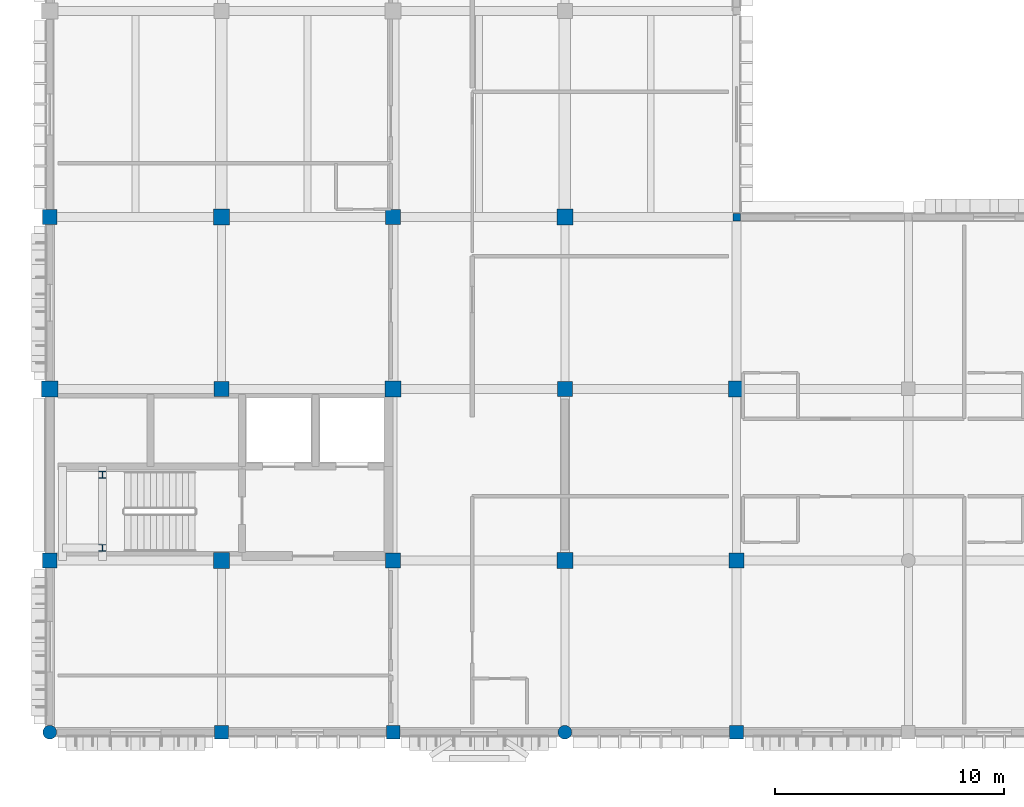
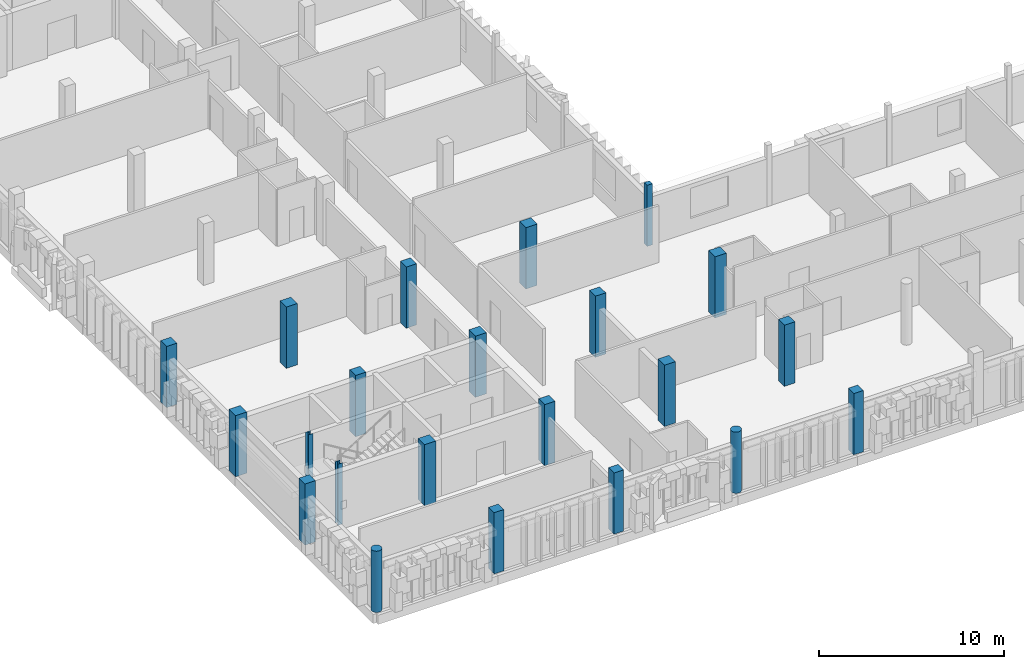
# One storey, part 1 of 48: 22 columns.
"""IFC4 building model written with IfcOpenShell, lengths in metres."""

from ifc_helpers import new_model, si_unit, direction, frame, origin, origin_2d, place, context, subcontext, project, spatial, rectangle, circle, i_section, extrude, material, material_profile, profile_set, type_object, element, save


model = new_model("IFC4")

# Units and contexts
model_context = context("Model", 3, precision=1e-05, world=origin(), true_north=direction((0.0, 1.0)))
body_context = subcontext(model_context, "Body", "Model", "MODEL_VIEW")
ifc_project = project(units=[si_unit("LENGTHUNIT", "METRE"), si_unit("AREAUNIT", "SQUARE_METRE"), si_unit("VOLUMEUNIT", "CUBIC_METRE"), si_unit("PLANEANGLEUNIT", "RADIAN"), si_unit("MASSUNIT", "GRAM", prefix="KILO")], contexts=[model_context])

# Site, building, storey
site_placement = place(None, origin())
site = spatial("IfcSite", under=ifc_project, at=site_placement, CompositionType="ELEMENT")
building_placement = place(site_placement, origin())
building = spatial("IfcBuilding", under=site, at=building_placement, Name="Dalvernix Boulevard General Hospital", CompositionType="ELEMENT")
storey_placement = place(building_placement, frame((0.0, 0.0, 17.85009765625)))
storey = spatial("IfcBuildingStorey", under=building, at=storey_placement, Name="L04", CompositionType="ELEMENT", Elevation=17.85009765625)

# Columns
ifc_material_1 = material(Name="Concrete C40/50", Category="concrete")
ifc_material_profile_1 = material_profile(ifc_material_1, rectangle(XDim=0.699951171875, YDim=0.699951171875, at=origin_2d()), Name="RC 700x700")
ifc_profile_set_1 = profile_set([ifc_material_profile_1], Name="Concrete C40/50")
column_type_1 = type_object("IfcColumnType", Name="COL-C-05-E", PredefinedType="COLUMN", material=ifc_profile_set_1)
column_1_placement = place(storey_placement, frame((0.0, 15.0, 0.0), z_axis=(0.0, 0.0, 1.0), x_axis=(1.0, 0.0, 0.0)))
element("IfcColumn", 1, at=column_1_placement, inside=storey, type_object=column_type_1, Name="L04 column 1C", PredefinedType="COLUMN", context=body_context, shape_type="SweptSolid", body=[
    extrude(rectangle(XDim=0.699951171875, YDim=0.699951171875, at=origin_2d()), origin(), (0.0, 0.0, 1.0), 4.0498046875),
])
ifc_material_profile_2 = material_profile(ifc_material_1, rectangle(XDim=0.699951171875, YDim=0.699951171875, at=origin_2d()), Name="RC 700x700")
ifc_profile_set_2 = profile_set([ifc_material_profile_2], Name="Concrete C40/50")
column_type_2 = type_object("IfcColumnType", Name="COL-C-05-I", PredefinedType="COLUMN", material=ifc_profile_set_2)
for number, where, z_axis, x_axis, name in (
    (2, (7.5, 7.5, 0.0), (0.0, 0.0, 1.0), (1.0, 0.0, 0.0), "L04 column 2B"),
    (3, (7.5, 22.5, 0.0), (0.0, 0.0, 1.0), (1.0, 0.0, 0.0), "L04 column 2D"),
    (4, (15.0, 15.0, 0.0), (0.0, 0.0, 1.0), (1.0, 0.0, 0.0), "L04 column 3C"),
    (5, (22.5, 7.5, 0.0), (0.0, 0.0, 1.0), (1.0, 0.0, 0.0), "L04 column 4B"),
    (6, (22.5, 22.5, 0.0), (0.0, 0.0, 1.0), (1.0, 0.0, 0.0), "L04 column 4D"),
    (7, (30.0, 15.0, 0.0), (0.0, 0.0, 1.0), (1.0, 0.0, 0.0), "L04 column 5C"),
):
    element("IfcColumn", number, at=place(storey_placement, frame(where, z_axis=z_axis, x_axis=x_axis)), inside=storey, type_object=column_type_2, Name=name, PredefinedType="COLUMN", context=body_context, shape_type="SweptSolid", body=[
        extrude(rectangle(XDim=0.699951171875, YDim=0.699951171875, at=origin_2d()), origin(), (0.0, 0.0, 1.0), 4.0498046875),
    ])
ifc_material_profile_3 = material_profile(ifc_material_1, rectangle(XDim=0.64990234375, YDim=0.64990234375, at=origin_2d()), Name="RC 650x650")
ifc_profile_set_3 = profile_set([ifc_material_profile_3], Name="Concrete C40/50")
column_type_3 = type_object("IfcColumnType", Name="COL-C-06-E", PredefinedType="COLUMN", material=ifc_profile_set_3)
for number, where, z_axis, x_axis, name in (
    (8, (0.0, 7.5, 0.0), (0.0, 0.0, 1.0), (1.0, 0.0, 0.0), "L04 column 1B"),
    (9, (0.0, 22.5, 0.0), (0.0, 0.0, 1.0), (1.0, 0.0, 0.0), "L04 column 1D"),
):
    element("IfcColumn", number, at=place(storey_placement, frame(where, z_axis=z_axis, x_axis=x_axis)), inside=storey, type_object=column_type_3, Name=name, PredefinedType="COLUMN", context=body_context, shape_type="SweptSolid", body=[
        extrude(rectangle(XDim=0.64990234375, YDim=0.64990234375, at=origin_2d()), origin(), (0.0, 0.0, 1.0), 4.0498046875),
    ])
ifc_material_profile_4 = material_profile(ifc_material_1, rectangle(XDim=0.64990234375, YDim=0.64990234375, at=origin_2d()), Name="RC 650x650")
ifc_profile_set_4 = profile_set([ifc_material_profile_4], Name="Concrete C40/50")
column_type_4 = type_object("IfcColumnType", Name="COL-C-06-I", PredefinedType="COLUMN", material=ifc_profile_set_4)
for number, where, z_axis, x_axis, name in (
    (10, (7.5, 15.0, 0.0), (0.0, 0.0, 1.0), (1.0, 0.0, 0.0), "L04 column 2C"),
    (11, (15.0, 7.5, 0.0), (0.0, 0.0, 1.0), (1.0, 0.0, 0.0), "L04 column 3B"),
    (12, (15.0, 22.5, 0.0), (0.0, 0.0, 1.0), (1.0, 0.0, 0.0), "L04 column 3D"),
    (13, (22.5, 15.0, 0.0), (0.0, 0.0, 1.0), (1.0, 0.0, 0.0), "L04 column 4C"),
    (14, (30.0, 7.5, 0.0), (0.0, 0.0, 1.0), (1.0, 0.0, 0.0), "L04 column 5B"),
):
    element("IfcColumn", number, at=place(storey_placement, frame(where, z_axis=z_axis, x_axis=x_axis)), inside=storey, type_object=column_type_4, Name=name, PredefinedType="COLUMN", context=body_context, shape_type="SweptSolid", body=[
        extrude(rectangle(XDim=0.64990234375, YDim=0.64990234375, at=origin_2d()), origin(), (0.0, 0.0, 1.0), 4.0498046875),
    ])
ifc_material_profile_5 = material_profile(ifc_material_1, rectangle(XDim=0.60009765625, YDim=0.60009765625, at=origin_2d()), Name="RC 600x600")
ifc_profile_set_5 = profile_set([ifc_material_profile_5], Name="Concrete C40/50")
column_type_5 = type_object("IfcColumnType", Name="COL-C-07-E", PredefinedType="COLUMN", material=ifc_profile_set_5)
for number, where, z_axis, x_axis, name in (
    (15, (7.5, 0.0, 0.0), (0.0, 0.0, 1.0), (1.0, 0.0, 0.0), "L04 column 2A"),
    (16, (15.0, 0.0, 0.0), (0.0, 0.0, 1.0), (1.0, 0.0, 0.0), "L04 column 3A"),
    (17, (30.0, 0.0, 0.0), (0.0, 0.0, 1.0), (1.0, 0.0, 0.0), "L04 column 5A"),
):
    element("IfcColumn", number, at=place(storey_placement, frame(where, z_axis=z_axis, x_axis=x_axis)), inside=storey, type_object=column_type_5, Name=name, PredefinedType="COLUMN", context=body_context, shape_type="SweptSolid", body=[
        extrude(rectangle(XDim=0.60009765625, YDim=0.60009765625, at=origin_2d()), origin(), (0.0, 0.0, 1.0), 4.0498046875),
    ])
ifc_material_profile_6 = material_profile(ifc_material_1, circle(Radius=0.300048828125, at=origin_2d()), Name="RC D600")
ifc_profile_set_6 = profile_set([ifc_material_profile_6], Name="Concrete C40/50")
column_type_6 = type_object("IfcColumnType", Name="COL-C-15-E", PredefinedType="COLUMN", material=ifc_profile_set_6)
for number, where, z_axis, x_axis, name in (
    (18, (0.0, 0.0, 0.0), (0.0, 0.0, 1.0), (1.0, 0.0, 0.0), "L04 column 1A"),
    (19, (22.5, 0.0, 0.0), (0.0, 0.0, 1.0), (1.0, 0.0, 0.0), "L04 column 4A"),
):
    element("IfcColumn", number, at=place(storey_placement, frame(where, z_axis=z_axis, x_axis=x_axis)), inside=storey, type_object=column_type_6, Name=name, PredefinedType="COLUMN", context=body_context, shape_type="SweptSolid", body=[
        extrude(circle(Radius=0.300048828125, at=origin_2d()), origin(), (0.0, 0.0, 1.0), 4.0498046875),
    ])
ifc_material_2 = material(Name="Steel S355", Category="steel")
ifc_material_profile_7 = material_profile(ifc_material_2, i_section(OverallWidth=0.300048828125, OverallDepth=0.300048828125, WebThickness=0.010986328125, FlangeThickness=0.01904296875, FilletRadius=0.027099609375, at=origin_2d()), Name="HEB 300")
ifc_profile_set_7 = profile_set([ifc_material_profile_7], Name="Steel S355")
column_type_7 = type_object("IfcColumnType", Name="COL-C-18", PredefinedType="COLUMN", material=ifc_profile_set_7)
for number, where, z_axis, x_axis, name in (
    (20, (2.300048828125, 8.050048828125, 0.0), (0.0, 0.0, 1.0), (1.0, 0.0, 0.0), "L04 Core C1 stair landing column 1"),
    (21, (2.300048828125, 11.25, 0.0), (0.0, 0.0, 1.0), (1.0, 0.0, 0.0), "L04 Core C1 stair landing column 2"),
):
    element("IfcColumn", number, at=place(storey_placement, frame(where, z_axis=z_axis, x_axis=x_axis)), inside=storey, type_object=column_type_7, Name=name, PredefinedType="COLUMN", context=body_context, shape_type="SweptSolid", body=[
        extrude(i_section(OverallWidth=0.300048828125, OverallDepth=0.300048828125, WebThickness=0.010986328125, FlangeThickness=0.01904296875, FilletRadius=0.027099609375, at=origin_2d()), origin(), (0.0, 0.0, 1.0), 4.0498046875),
    ])
ifc_material_3 = material(Name="Glulam GL28h", Category="wood")
ifc_material_profile_8 = material_profile(ifc_material_3, rectangle(XDim=0.320068359375, YDim=0.320068359375, at=origin_2d()), Name="GL28h 320x320")
ifc_profile_set_8 = profile_set([ifc_material_profile_8], Name="Glulam GL28h")
column_type_8 = type_object("IfcColumnType", Name="COL-C-20-E", PredefinedType="COLUMN", material=ifc_profile_set_8)
column_2_placement = place(storey_placement, frame((30.0, 22.5, 0.0), z_axis=(0.0, 0.0, 1.0), x_axis=(1.0, 0.0, 0.0)))
element("IfcColumn", 22, at=column_2_placement, inside=storey, type_object=column_type_8, Name="L04 column 5D", PredefinedType="COLUMN", context=body_context, shape_type="SweptSolid", body=[
    extrude(rectangle(XDim=0.320068359375, YDim=0.320068359375, at=origin_2d()), origin(), (0.0, 0.0, 1.0), 4.0498046875),
])

save(model, "model.ifc")
